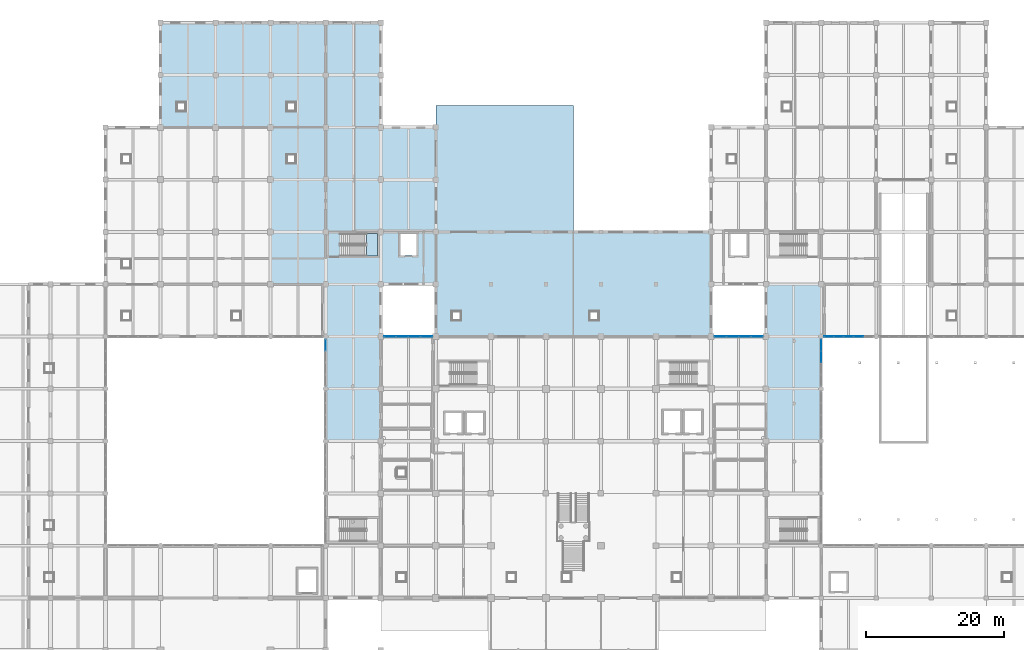
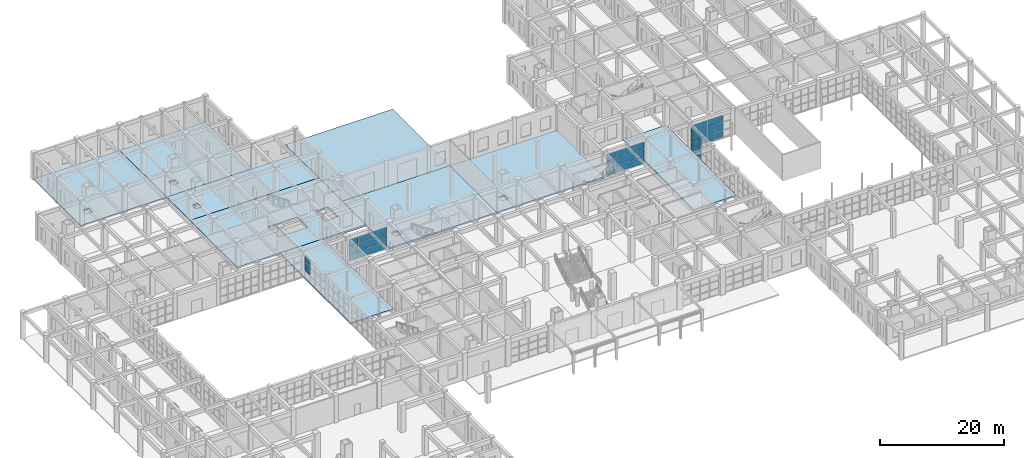
# One storey, part 63 of 95: 44 plates, 10 slabs, 6 elements without a shape of their own.
"""IFC4 building model written with IfcOpenShell, lengths in metres."""

from ifc_helpers import new_model, si_unit, direction, frame, origin, origin_2d, place, context, subcontext, project, spatial, polyline, rectangle, outline, extrude, material, layer, layer_set, type_object, element, aggregate, save


model = new_model("IFC4")

# Units and contexts
model_context = context("Model", 3, precision=1e-05, world=origin(), true_north=direction((0.0, 1.0)))
body_context = subcontext(model_context, "Body", "Model", "MODEL_VIEW")
ifc_project = project(units=[si_unit("LENGTHUNIT", "METRE"), si_unit("AREAUNIT", "SQUARE_METRE"), si_unit("VOLUMEUNIT", "CUBIC_METRE"), si_unit("PLANEANGLEUNIT", "RADIAN"), si_unit("MASSUNIT", "GRAM", prefix="KILO")], contexts=[model_context])

# Site, building, storey
site_placement = place(None, origin())
site = spatial("IfcSite", under=ifc_project, at=site_placement, CompositionType="ELEMENT")
building_placement = place(site_placement, origin())
building = spatial("IfcBuilding", under=site, at=building_placement, Name="Zantavel Square City Hall", CompositionType="ELEMENT")
storey_placement = place(building_placement, origin())
storey = spatial("IfcBuildingStorey", under=building, at=storey_placement, Name="L01", CompositionType="ELEMENT", Elevation=0.0)

# Stair, slab
ifc_material_1 = material(Name="Concrete C35/45", Category="concrete")
stair_type = type_object("IfcStairType", Name="Enclosed Core Dogleg Stair L01 H5400", PredefinedType="HALF_TURN_STAIR", material=ifc_material_1)
stair_placement = place(storey_placement, origin())
stair = element("IfcStair", 1, at=stair_placement, inside=storey, type_object=stair_type, Name="L01 Exit Stair 1 North-West Core", PredefinedType="HALF_TURN_STAIR")
ifc_layer_1 = layer(ifc_material_1, 0.2099609375, Name="Concrete C35/45")
ifc_layer_set_1 = layer_set([ifc_layer_1], Name="Concrete C35/45")
slab_type_1 = type_object("IfcSlabType", Name="Core Stair Half-Landing Slab C35/45", PredefinedType="LANDING", material=ifc_layer_set_1)
slab_1_placement = place(storey_placement, frame((0.0, 0.0, 2.5)))
slab_1 = element("IfcSlab", 2, at=slab_1_placement, type_object=slab_type_1, Name="ST1 landing 1", PredefinedType="LANDING", context=body_context, shape_type="SweptSolid", body=[
    extrude(outline(polyline([(53.949951171875, 80.10009765625), (55.530029296875, 80.10009765625), (55.530029296875, 83.3701171875), (53.949951171875, 83.3701171875), (53.949951171875, 80.10009765625)])), origin(), (0.0, 0.0, 1.0), 0.199951171875),
])
aggregate(stair, [slab_1])

# Slabs
ifc_layer_2 = layer(ifc_material_1, 0.199951171875, Name="Concrete C35/45")
ifc_layer_set_2 = layer_set([ifc_layer_2], Name="Concrete C35/45")
slab_type_2 = type_object("IfcSlabType", Name="Exterior Grade Apron Slab 200mm C35/45", PredefinedType="FLOOR", material=ifc_layer_set_2)
slab_2_placement = place(storey_placement, frame((0.0, 0.0, -0.199951171875)))
element("IfcSlab", 3, at=slab_2_placement, inside=storey, type_object=slab_type_2, Name="L01 Outdoor Terrace Slab SLB-L01-APRON-DOCK", PredefinedType="FLOOR", context=body_context, shape_type="SweptSolid", body=[
    extrude(outline(polyline([(64.0, 102.0), (84.0, 102.0), (84.0, 83.60009765625), (64.0, 83.60009765625), (64.0, 91.199951171875), (64.0, 98.800048828125), (64.0, 102.0)])), origin(), (0.0, 0.0, 1.0), 0.199951171875),
])
ifc_layer_3 = layer(ifc_material_1, 0.300048828125, Name="Concrete C35/45")
ifc_layer_set_3 = layer_set([ifc_layer_3], Name="Concrete C35/45")
slab_type_3 = type_object("IfcSlabType", Name="Ground Civic Floor Slab 300mm C35/45", PredefinedType="FLOOR", material=ifc_layer_set_3)
slab_3_placement = place(storey_placement, frame((0.0, 0.0, -0.300048828125)))
element("IfcSlab", 4, at=slab_3_placement, inside=storey, type_object=slab_type_3, Name="L01 Floor Slab SLB-L01-V2W-02", PredefinedType="FLOOR", context=body_context, shape_type="SweptSolid", body=[
    extrude(outline(polyline([(112.0, 76.0), (120.0, 76.0), (120.0, 53.199951171875), (112.0, 53.199951171875), (112.0, 68.39990234375), (112.0, 76.0)])), origin(), (0.0, 0.0, 1.0), 0.300048828125),
])
slab_4_placement = place(storey_placement, frame((0.0, 0.0, -0.300048828125)))
element("IfcSlab", 5, at=slab_4_placement, inside=storey, type_object=slab_type_3, Name="L01 Floor Slab SLB-L01-V3E-02", PredefinedType="FLOOR", context=body_context, shape_type="SweptSolid", body=[
    extrude(outline(polyline([(56.0, 53.199951171875), (48.0, 53.199951171875), (48.0, 76.0), (56.0, 76.0), (56.0, 68.39990234375), (56.0, 53.199951171875)])), origin(), (0.0, 0.0, 1.0), 0.300048828125),
])
slab_5_placement = place(storey_placement, frame((0.0, 0.0, -0.300048828125)))
element("IfcSlab", 6, at=slab_5_placement, inside=storey, type_object=slab_type_3, Name="L01 Floor Slab SLB-L01-V4L-01", PredefinedType="FLOOR", context=body_context, shape_type="SweptSolid", body=[
    extrude(outline(polyline([(96.0, 68.39990234375), (84.0, 68.39990234375), (84.0, 83.60009765625), (104.0, 83.60009765625), (104.0, 76.0), (104.0, 68.39990234375), (96.0, 68.39990234375)]), holes=[polyline([(87.60009765625, 72.0), (86.39990234375, 72.0), (86.39990234375, 70.800048828125), (87.60009765625, 70.800048828125), (87.60009765625, 72.0)])]), origin(), (0.0, 0.0, 1.0), 0.300048828125),
])
slab_6_placement = place(storey_placement, frame((0.0, 0.0, -0.300048828125)))
element("IfcSlab", 7, at=slab_6_placement, inside=storey, type_object=slab_type_3, Name="L01 Floor Slab SLB-L01-V5N-01", PredefinedType="FLOOR", context=body_context, shape_type="SweptSolid", body=[
    extrude(outline(polyline([(40.0, 114.0), (40.0, 98.800048828125), (24.0, 98.800048828125), (24.0, 114.0), (40.0, 114.0)]), holes=[polyline([(27.60009765625, 102.39990234375), (26.39990234375, 102.39990234375), (26.39990234375, 101.199951171875), (27.60009765625, 101.199951171875), (27.60009765625, 102.39990234375)])]), origin(), (0.0, 0.0, 1.0), 0.300048828125),
])
slab_7_placement = place(storey_placement, frame((0.0, 0.0, -0.300048828125)))
element("IfcSlab", 8, at=slab_7_placement, inside=storey, type_object=slab_type_3, Name="L01 Floor Slab SLB-L01-V5L-01", PredefinedType="FLOOR", context=body_context, shape_type="SweptSolid", body=[
    extrude(outline(polyline([(80.0, 68.39990234375), (72.0, 68.39990234375), (64.0, 68.39990234375), (64.0, 76.0), (64.0, 83.60009765625), (84.0, 83.60009765625), (84.0, 68.39990234375), (80.0, 68.39990234375)]), holes=[polyline([(67.60009765625, 72.0), (66.39990234375, 72.0), (66.39990234375, 70.800048828125), (67.60009765625, 70.800048828125), (67.60009765625, 72.0)])]), origin(), (0.0, 0.0, 1.0), 0.300048828125),
])
ifc_material_2 = material(Name="Concrete C40/50", Category="concrete")
ifc_layer_4 = layer(ifc_material_2, 0.340087890625, Name="Concrete C40/50")
ifc_layer_set_4 = layer_set([ifc_layer_4], Name="Concrete C40/50")
slab_type_4 = type_object("IfcSlabType", Name="Loading Dock Heavy Slab 340mm C40/50", PredefinedType="FLOOR", material=ifc_layer_set_4)
slab_8_placement = place(storey_placement, frame((0.0, 0.0, -0.340087890625)))
element("IfcSlab", 9, at=slab_8_placement, inside=storey, type_object=slab_type_4, Name="L01 Floor Slab SLB-L01-V5M-02", PredefinedType="FLOOR", context=body_context, shape_type="SweptSolid", body=[
    extrude(outline(polyline([(56.0, 76.0), (48.0, 76.0), (40.0, 76.0), (40.0, 91.199951171875), (64.0, 91.199951171875), (64.0, 76.0), (56.0, 76.0)]), holes=[polyline([(50.050048828125, 83.3701171875), (50.050048828125, 80.10009765625), (55.530029296875, 80.10009765625), (55.530029296875, 83.3701171875), (50.050048828125, 83.3701171875)]), polyline([(61.199951171875, 83.35009765625), (58.800048828125, 83.35009765625), (58.800048828125, 80.14990234375), (61.199951171875, 80.14990234375), (61.199951171875, 83.35009765625)])]), origin(), (0.0, 0.0, 1.0), 0.340087890625),
])
slab_9_placement = place(storey_placement, frame((0.0, 0.0, -0.340087890625)))
element("IfcSlab", 10, at=slab_9_placement, inside=storey, type_object=slab_type_4, Name="L01 Floor Slab SLB-L01-V5M-04", PredefinedType="FLOOR", context=body_context, shape_type="SweptSolid", body=[
    extrude(outline(polyline([(64.0, 91.199951171875), (40.0, 91.199951171875), (40.0, 98.800048828125), (64.0, 98.800048828125), (64.0, 91.199951171875)]), holes=[polyline([(43.60009765625, 94.800048828125), (42.39990234375, 94.800048828125), (42.39990234375, 93.60009765625), (43.60009765625, 93.60009765625), (43.60009765625, 94.800048828125)])]), origin(), (0.0, 0.0, 1.0), 0.340087890625),
])
slab_10_placement = place(storey_placement, frame((0.0, 0.0, -0.340087890625)))
element("IfcSlab", 11, at=slab_10_placement, inside=storey, type_object=slab_type_4, Name="L01 Floor Slab SLB-L01-V5N-02", PredefinedType="FLOOR", context=body_context, shape_type="SweptSolid", body=[
    extrude(outline(polyline([(56.0, 98.800048828125), (40.0, 98.800048828125), (40.0, 114.0), (56.0, 114.0), (56.0, 98.800048828125)]), holes=[polyline([(43.60009765625, 102.39990234375), (42.39990234375, 102.39990234375), (42.39990234375, 101.199951171875), (43.60009765625, 101.199951171875), (43.60009765625, 102.39990234375)])]), origin(), (0.0, 0.0, 1.0), 0.340087890625),
])

# Curtain wall, plates
ifc_material_3 = material(Name="Anodised aluminium 6063-T6", Category="aluminium")
curtain_wall_type_1 = type_object("IfcCurtainWallType", Name="Curtain Wall CRT 7250x4510", PredefinedType="USERDEFINED", material=ifc_material_3)
curtain_wall_1_placement = place(storey_placement, origin())
curtain_wall_1 = element("IfcCurtainWall", 12, at=curtain_wall_1_placement, inside=storey, type_object=curtain_wall_type_1, Name="L01 Glazed Curtain Wall CW-L01-022", ObjectType="GLAZED CURTAIN WALL", PredefinedType="USERDEFINED")
ifc_material_4 = material(Name="Tempered safety glass low-E double glazing", Category="glass")
ifc_layer_5 = layer(ifc_material_4, 0.028076171875, Name="Tempered safety glass low-E double glazing")
ifc_layer_set_5 = layer_set([ifc_layer_5], Name="Tempered safety glass low-E double glazing")
plate_type_1 = type_object("IfcPlateType", Name="Low-E Curtain Glazing Panel 1450x1503x28", PredefinedType="CURTAIN_PANEL", material=ifc_layer_set_5)
plate_1_placement = place(storey_placement, frame((125.449951171875, 68.39990234375, 0.06005859375), z_axis=(0.0, 0.0, 1.0), x_axis=(-1.0, 0.0, 0.0)))
plate_1 = element("IfcPlate", 13, at=plate_1_placement, type_object=plate_type_1, Name="CW-022 panel 2.1", PredefinedType="CURTAIN_PANEL", context=body_context, shape_type="SweptSolid", body=[
    extrude(rectangle(XDim=1.389892578125, YDim=0.028076171875, at=origin_2d()), origin(), (0.0, 0.0, 1.0), 1.35302734375),
])
plate_2_placement = place(storey_placement, frame((125.449951171875, 68.39990234375, 1.472900390625), z_axis=(0.0, 0.0, 1.0), x_axis=(-1.0, 0.0, 0.0)))
plate_2 = element("IfcPlate", 14, at=plate_2_placement, type_object=plate_type_1, Name="CW-022 panel 2.2", PredefinedType="CURTAIN_PANEL", context=body_context, shape_type="SweptSolid", body=[
    extrude(rectangle(XDim=1.389892578125, YDim=0.028076171875, at=origin_2d()), origin(), (0.0, 0.0, 1.0), 1.56396484375),
])
plate_3_placement = place(storey_placement, frame((125.449951171875, 68.39990234375, 3.096923828125), z_axis=(0.0, 0.0, 1.0), x_axis=(-1.0, 0.0, 0.0)))
plate_3 = element("IfcPlate", 15, at=plate_3_placement, type_object=plate_type_1, Name="CW-022 panel 2.3", PredefinedType="CURTAIN_PANEL", context=body_context, shape_type="SweptSolid", body=[
    extrude(rectangle(XDim=1.389892578125, YDim=0.028076171875, at=origin_2d()), origin(), (0.0, 0.0, 1.0), 1.35302734375),
])
plate_4_placement = place(storey_placement, frame((124.0, 68.39990234375, 0.06005859375), z_axis=(0.0, 0.0, 1.0), x_axis=(-1.0, 0.0, 0.0)))
plate_4 = element("IfcPlate", 16, at=plate_4_placement, type_object=plate_type_1, Name="CW-022 panel 3.1", PredefinedType="CURTAIN_PANEL", context=body_context, shape_type="SweptSolid", body=[
    extrude(rectangle(XDim=1.389892578125, YDim=0.028076171875, at=origin_2d()), origin(), (0.0, 0.0, 1.0), 1.35302734375),
])
plate_5_placement = place(storey_placement, frame((124.0, 68.39990234375, 1.472900390625), z_axis=(0.0, 0.0, 1.0), x_axis=(-1.0, 0.0, 0.0)))
plate_5 = element("IfcPlate", 17, at=plate_5_placement, type_object=plate_type_1, Name="CW-022 panel 3.2", PredefinedType="CURTAIN_PANEL", context=body_context, shape_type="SweptSolid", body=[
    extrude(rectangle(XDim=1.389892578125, YDim=0.028076171875, at=origin_2d()), origin(), (0.0, 0.0, 1.0), 1.56396484375),
])
plate_6_placement = place(storey_placement, frame((124.0, 68.39990234375, 3.096923828125), z_axis=(0.0, 0.0, 1.0), x_axis=(-1.0, 0.0, 0.0)))
plate_6 = element("IfcPlate", 18, at=plate_6_placement, type_object=plate_type_1, Name="CW-022 panel 3.3", PredefinedType="CURTAIN_PANEL", context=body_context, shape_type="SweptSolid", body=[
    extrude(rectangle(XDim=1.389892578125, YDim=0.028076171875, at=origin_2d()), origin(), (0.0, 0.0, 1.0), 1.35302734375),
])
plate_7_placement = place(storey_placement, frame((122.550048828125, 68.39990234375, 0.06005859375), z_axis=(0.0, 0.0, 1.0), x_axis=(-1.0, 0.0, 0.0)))
plate_7 = element("IfcPlate", 19, at=plate_7_placement, type_object=plate_type_1, Name="CW-022 panel 4.1", PredefinedType="CURTAIN_PANEL", context=body_context, shape_type="SweptSolid", body=[
    extrude(rectangle(XDim=1.389892578125, YDim=0.028076171875, at=origin_2d()), origin(), (0.0, 0.0, 1.0), 1.35302734375),
])
plate_8_placement = place(storey_placement, frame((122.550048828125, 68.39990234375, 1.472900390625), z_axis=(0.0, 0.0, 1.0), x_axis=(-1.0, 0.0, 0.0)))
plate_8 = element("IfcPlate", 20, at=plate_8_placement, type_object=plate_type_1, Name="CW-022 panel 4.2", PredefinedType="CURTAIN_PANEL", context=body_context, shape_type="SweptSolid", body=[
    extrude(rectangle(XDim=1.389892578125, YDim=0.028076171875, at=origin_2d()), origin(), (0.0, 0.0, 1.0), 1.56396484375),
])
plate_9_placement = place(storey_placement, frame((122.550048828125, 68.39990234375, 3.096923828125), z_axis=(0.0, 0.0, 1.0), x_axis=(-1.0, 0.0, 0.0)))
plate_9 = element("IfcPlate", 21, at=plate_9_placement, type_object=plate_type_1, Name="CW-022 panel 4.3", PredefinedType="CURTAIN_PANEL", context=body_context, shape_type="SweptSolid", body=[
    extrude(rectangle(XDim=1.389892578125, YDim=0.028076171875, at=origin_2d()), origin(), (0.0, 0.0, 1.0), 1.35302734375),
])
plate_10_placement = place(storey_placement, frame((121.114990234375, 68.39990234375, 0.06005859375), z_axis=(0.0, 0.0, 1.0), x_axis=(-1.0, 0.0, 0.0)))
plate_10 = element("IfcPlate", 22, at=plate_10_placement, type_object=plate_type_1, Name="CW-022 panel 5.1", PredefinedType="CURTAIN_PANEL", context=body_context, shape_type="SweptSolid", body=[
    extrude(rectangle(XDim=1.360107421875, YDim=0.028076171875, at=origin_2d()), origin(), (0.0, 0.0, 1.0), 1.35302734375),
])
plate_11_placement = place(storey_placement, frame((121.114990234375, 68.39990234375, 1.472900390625), z_axis=(0.0, 0.0, 1.0), x_axis=(-1.0, 0.0, 0.0)))
plate_11 = element("IfcPlate", 23, at=plate_11_placement, type_object=plate_type_1, Name="CW-022 panel 5.2", PredefinedType="CURTAIN_PANEL", context=body_context, shape_type="SweptSolid", body=[
    extrude(rectangle(XDim=1.360107421875, YDim=0.028076171875, at=origin_2d()), origin(), (0.0, 0.0, 1.0), 1.56396484375),
])
plate_12_placement = place(storey_placement, frame((121.114990234375, 68.39990234375, 3.096923828125), z_axis=(0.0, 0.0, 1.0), x_axis=(-1.0, 0.0, 0.0)))
plate_12 = element("IfcPlate", 24, at=plate_12_placement, type_object=plate_type_1, Name="CW-022 panel 5.3", PredefinedType="CURTAIN_PANEL", context=body_context, shape_type="SweptSolid", body=[
    extrude(rectangle(XDim=1.360107421875, YDim=0.028076171875, at=origin_2d()), origin(), (0.0, 0.0, 1.0), 1.35302734375),
])
aggregate(curtain_wall_1, [plate_1, plate_2, plate_3, plate_4, plate_5, plate_6, plate_7, plate_8, plate_9, plate_10, plate_11, plate_12])

curtain_wall_type_2 = type_object("IfcCurtainWallType", Name="Curtain Wall CRT 6850x4460", PredefinedType="USERDEFINED", material=ifc_material_3)
curtain_wall_2_placement = place(storey_placement, origin())
curtain_wall_2 = element("IfcCurtainWall", 25, at=curtain_wall_2_placement, inside=storey, type_object=curtain_wall_type_2, Name="L01 Glazed Curtain Wall CW-L01-017", ObjectType="GLAZED CURTAIN WALL", PredefinedType="USERDEFINED")
ifc_layer_6 = layer(ifc_material_4, 0.028076171875, Name="Tempered safety glass low-E double glazing")
ifc_layer_set_6 = layer_set([ifc_layer_6], Name="Tempered safety glass low-E double glazing")
plate_type_2 = type_object("IfcPlateType", Name="Low-E Curtain Glazing Panel 1713x1487x28", PredefinedType="CURTAIN_PANEL", material=ifc_layer_set_6)
plate_13_placement = place(storey_placement, frame((48.0, 67.15380859375, 1.45703125), z_axis=(0.0, 0.0, 1.0), x_axis=(0.0, 1.0, 0.0)))
plate_13 = element("IfcPlate", 26, at=plate_13_placement, type_object=plate_type_2, Name="CW-017 panel 4.2", PredefinedType="CURTAIN_PANEL", context=body_context, shape_type="SweptSolid", body=[
    extrude(rectangle(XDim=1.62255859375, YDim=0.028076171875, at=origin_2d()), origin(), (0.0, 0.0, 1.0), 1.5458984375),
])
plate_14_placement = place(storey_placement, frame((48.0, 67.15380859375, 3.06298828125), z_axis=(0.0, 0.0, 1.0), x_axis=(0.0, 1.0, 0.0)))
plate_14 = element("IfcPlate", 27, at=plate_14_placement, type_object=plate_type_2, Name="CW-017 panel 4.3", PredefinedType="CURTAIN_PANEL", context=body_context, shape_type="SweptSolid", body=[
    extrude(rectangle(XDim=1.62255859375, YDim=0.028076171875, at=origin_2d()), origin(), (0.0, 0.0, 1.0), 1.3369140625),
])
aggregate(curtain_wall_2, [plate_13, plate_14])

curtain_wall_type_3 = type_object("IfcCurtainWallType", Name="Curtain Wall CRT 6850x4580", PredefinedType="USERDEFINED", material=ifc_material_3)
curtain_wall_3_placement = place(storey_placement, origin())
curtain_wall_3 = element("IfcCurtainWall", 28, at=curtain_wall_3_placement, inside=storey, type_object=curtain_wall_type_3, Name="L01 Glazed Curtain Wall CW-L01-023", ObjectType="GLAZED CURTAIN WALL", PredefinedType="USERDEFINED")
ifc_layer_7 = layer(ifc_material_4, 0.028076171875, Name="Tempered safety glass low-E double glazing")
ifc_layer_set_7 = layer_set([ifc_layer_7], Name="Tempered safety glass low-E double glazing")
plate_type_3 = type_object("IfcPlateType", Name="Low-E Curtain Glazing Panel 1713x1527x28", PredefinedType="CURTAIN_PANEL", material=ifc_layer_set_7)
plate_15_placement = place(storey_placement, frame((120.0, 67.15380859375, 0.06005859375), z_axis=(0.0, 0.0, 1.0), x_axis=(0.0, -1.0, 0.0)))
plate_15 = element("IfcPlate", 29, at=plate_15_placement, type_object=plate_type_3, Name="CW-023 panel 1.1", PredefinedType="CURTAIN_PANEL", context=body_context, shape_type="SweptSolid", body=[
    extrude(rectangle(XDim=1.62255859375, YDim=0.028076171875, at=origin_2d()), origin(), (0.0, 0.0, 1.0), 1.3759765625),
])
plate_16_placement = place(storey_placement, frame((120.0, 67.15380859375, 1.49609375), z_axis=(0.0, 0.0, 1.0), x_axis=(0.0, -1.0, 0.0)))
plate_16 = element("IfcPlate", 30, at=plate_16_placement, type_object=plate_type_3, Name="CW-023 panel 1.2", PredefinedType="CURTAIN_PANEL", context=body_context, shape_type="SweptSolid", body=[
    extrude(rectangle(XDim=1.62255859375, YDim=0.028076171875, at=origin_2d()), origin(), (0.0, 0.0, 1.0), 1.587890625),
])
plate_17_placement = place(storey_placement, frame((120.0, 67.15380859375, 3.14404296875), z_axis=(0.0, 0.0, 1.0), x_axis=(0.0, -1.0, 0.0)))
plate_17 = element("IfcPlate", 31, at=plate_17_placement, type_object=plate_type_3, Name="CW-023 panel 1.3", PredefinedType="CURTAIN_PANEL", context=body_context, shape_type="SweptSolid", body=[
    extrude(rectangle(XDim=1.62255859375, YDim=0.028076171875, at=origin_2d()), origin(), (0.0, 0.0, 1.0), 1.3759765625),
])
plate_18_placement = place(storey_placement, frame((120.0, 65.456298828125, 0.06005859375), z_axis=(0.0, 0.0, 1.0), x_axis=(0.0, -1.0, 0.0)))
plate_18 = element("IfcPlate", 32, at=plate_18_placement, type_object=plate_type_3, Name="CW-023 panel 2.1", PredefinedType="CURTAIN_PANEL", context=body_context, shape_type="SweptSolid", body=[
    extrude(rectangle(XDim=1.652587890625, YDim=0.028076171875, at=origin_2d()), origin(), (0.0, 0.0, 1.0), 1.3759765625),
])
plate_19_placement = place(storey_placement, frame((120.0, 65.456298828125, 1.49609375), z_axis=(0.0, 0.0, 1.0), x_axis=(0.0, -1.0, 0.0)))
plate_19 = element("IfcPlate", 33, at=plate_19_placement, type_object=plate_type_3, Name="CW-023 panel 2.2", PredefinedType="CURTAIN_PANEL", context=body_context, shape_type="SweptSolid", body=[
    extrude(rectangle(XDim=1.652587890625, YDim=0.028076171875, at=origin_2d()), origin(), (0.0, 0.0, 1.0), 1.587890625),
])
plate_20_placement = place(storey_placement, frame((120.0, 65.456298828125, 3.14404296875), z_axis=(0.0, 0.0, 1.0), x_axis=(0.0, -1.0, 0.0)))
plate_20 = element("IfcPlate", 34, at=plate_20_placement, type_object=plate_type_3, Name="CW-023 panel 2.3", PredefinedType="CURTAIN_PANEL", context=body_context, shape_type="SweptSolid", body=[
    extrude(rectangle(XDim=1.652587890625, YDim=0.028076171875, at=origin_2d()), origin(), (0.0, 0.0, 1.0), 1.3759765625),
])
aggregate(curtain_wall_3, [plate_15, plate_16, plate_17, plate_18, plate_19, plate_20])

curtain_wall_type_4 = type_object("IfcCurtainWallType", Name="Curtain Wall TRV1 7125x4360", PredefinedType="USERDEFINED", material=ifc_material_3)
curtain_wall_4_placement = place(storey_placement, origin())
curtain_wall_4 = element("IfcCurtainWall", 35, at=curtain_wall_4_placement, inside=storey, type_object=curtain_wall_type_4, Name="L01 Glazed Curtain Wall CW-L01-004", ObjectType="GLAZED CURTAIN WALL", PredefinedType="USERDEFINED")
ifc_layer_8 = layer(ifc_material_4, 0.028076171875, Name="Tempered safety glass low-E double glazing")
ifc_layer_set_8 = layer_set([ifc_layer_8], Name="Tempered safety glass low-E double glazing")
plate_type_4 = type_object("IfcPlateType", Name="Low-E Curtain Glazing Panel 1781x1453x28", PredefinedType="CURTAIN_PANEL", material=ifc_layer_set_8)
plate_21_placement = place(storey_placement, frame((57.33056640625, 68.39990234375, 0.06005859375), z_axis=(0.0, 0.0, 1.0), x_axis=(1.0, 0.0, 0.0)))
plate_21 = element("IfcPlate", 36, at=plate_21_placement, type_object=plate_type_4, Name="CW-004 panel 1.1", PredefinedType="CURTAIN_PANEL", context=body_context, shape_type="SweptSolid", body=[
    extrude(rectangle(XDim=1.691162109375, YDim=0.028076171875, at=origin_2d()), origin(), (0.0, 0.0, 1.0), 1.304931640625),
])
plate_22_placement = place(storey_placement, frame((57.33056640625, 68.39990234375, 1.4248046875), z_axis=(0.0, 0.0, 1.0), x_axis=(1.0, 0.0, 0.0)))
plate_22 = element("IfcPlate", 37, at=plate_22_placement, type_object=plate_type_4, Name="CW-004 panel 1.2", PredefinedType="CURTAIN_PANEL", context=body_context, shape_type="SweptSolid", body=[
    extrude(rectangle(XDim=1.691162109375, YDim=0.028076171875, at=origin_2d()), origin(), (0.0, 0.0, 1.0), 1.510009765625),
])
plate_23_placement = place(storey_placement, frame((57.33056640625, 68.39990234375, 2.9951171875), z_axis=(0.0, 0.0, 1.0), x_axis=(1.0, 0.0, 0.0)))
plate_23 = element("IfcPlate", 38, at=plate_23_placement, type_object=plate_type_4, Name="CW-004 panel 1.3", PredefinedType="CURTAIN_PANEL", context=body_context, shape_type="SweptSolid", body=[
    extrude(rectangle(XDim=1.691162109375, YDim=0.028076171875, at=origin_2d()), origin(), (0.0, 0.0, 1.0), 1.304931640625),
])
plate_24_placement = place(storey_placement, frame((59.096923828125, 68.39990234375, 0.06005859375), z_axis=(0.0, 0.0, 1.0), x_axis=(1.0, 0.0, 0.0)))
plate_24 = element("IfcPlate", 39, at=plate_24_placement, type_object=plate_type_4, Name="CW-004 panel 2.1", PredefinedType="CURTAIN_PANEL", context=body_context, shape_type="SweptSolid", body=[
    extrude(rectangle(XDim=1.72119140625, YDim=0.028076171875, at=origin_2d()), origin(), (0.0, 0.0, 1.0), 1.304931640625),
])
plate_25_placement = place(storey_placement, frame((59.096923828125, 68.39990234375, 1.4248046875), z_axis=(0.0, 0.0, 1.0), x_axis=(1.0, 0.0, 0.0)))
plate_25 = element("IfcPlate", 40, at=plate_25_placement, type_object=plate_type_4, Name="CW-004 panel 2.2", PredefinedType="CURTAIN_PANEL", context=body_context, shape_type="SweptSolid", body=[
    extrude(rectangle(XDim=1.72119140625, YDim=0.028076171875, at=origin_2d()), origin(), (0.0, 0.0, 1.0), 1.510009765625),
])
plate_26_placement = place(storey_placement, frame((59.096923828125, 68.39990234375, 2.9951171875), z_axis=(0.0, 0.0, 1.0), x_axis=(1.0, 0.0, 0.0)))
plate_26 = element("IfcPlate", 41, at=plate_26_placement, type_object=plate_type_4, Name="CW-004 panel 2.3", PredefinedType="CURTAIN_PANEL", context=body_context, shape_type="SweptSolid", body=[
    extrude(rectangle(XDim=1.72119140625, YDim=0.028076171875, at=origin_2d()), origin(), (0.0, 0.0, 1.0), 1.304931640625),
])
plate_27_placement = place(storey_placement, frame((60.878173828125, 68.39990234375, 0.06005859375), z_axis=(0.0, 0.0, 1.0), x_axis=(1.0, 0.0, 0.0)))
plate_27 = element("IfcPlate", 42, at=plate_27_placement, type_object=plate_type_4, Name="CW-004 panel 3.1", PredefinedType="CURTAIN_PANEL", context=body_context, shape_type="SweptSolid", body=[
    extrude(rectangle(XDim=1.72119140625, YDim=0.028076171875, at=origin_2d()), origin(), (0.0, 0.0, 1.0), 1.304931640625),
])
plate_28_placement = place(storey_placement, frame((60.878173828125, 68.39990234375, 1.4248046875), z_axis=(0.0, 0.0, 1.0), x_axis=(1.0, 0.0, 0.0)))
plate_28 = element("IfcPlate", 43, at=plate_28_placement, type_object=plate_type_4, Name="CW-004 panel 3.2", PredefinedType="CURTAIN_PANEL", context=body_context, shape_type="SweptSolid", body=[
    extrude(rectangle(XDim=1.72119140625, YDim=0.028076171875, at=origin_2d()), origin(), (0.0, 0.0, 1.0), 1.510009765625),
])
plate_29_placement = place(storey_placement, frame((60.878173828125, 68.39990234375, 2.9951171875), z_axis=(0.0, 0.0, 1.0), x_axis=(1.0, 0.0, 0.0)))
plate_29 = element("IfcPlate", 44, at=plate_29_placement, type_object=plate_type_4, Name="CW-004 panel 3.3", PredefinedType="CURTAIN_PANEL", context=body_context, shape_type="SweptSolid", body=[
    extrude(rectangle(XDim=1.72119140625, YDim=0.028076171875, at=origin_2d()), origin(), (0.0, 0.0, 1.0), 1.304931640625),
])
plate_30_placement = place(storey_placement, frame((62.644287109375, 68.39990234375, 0.06005859375), z_axis=(0.0, 0.0, 1.0), x_axis=(1.0, 0.0, 0.0)))
plate_30 = element("IfcPlate", 45, at=plate_30_placement, type_object=plate_type_4, Name="CW-004 panel 4.1", PredefinedType="CURTAIN_PANEL", context=body_context, shape_type="SweptSolid", body=[
    extrude(rectangle(XDim=1.691162109375, YDim=0.028076171875, at=origin_2d()), origin(), (0.0, 0.0, 1.0), 1.304931640625),
])
plate_31_placement = place(storey_placement, frame((62.644287109375, 68.39990234375, 1.4248046875), z_axis=(0.0, 0.0, 1.0), x_axis=(1.0, 0.0, 0.0)))
plate_31 = element("IfcPlate", 46, at=plate_31_placement, type_object=plate_type_4, Name="CW-004 panel 4.2", PredefinedType="CURTAIN_PANEL", context=body_context, shape_type="SweptSolid", body=[
    extrude(rectangle(XDim=1.691162109375, YDim=0.028076171875, at=origin_2d()), origin(), (0.0, 0.0, 1.0), 1.510009765625),
])
plate_32_placement = place(storey_placement, frame((62.644287109375, 68.39990234375, 2.9951171875), z_axis=(0.0, 0.0, 1.0), x_axis=(1.0, 0.0, 0.0)))
plate_32 = element("IfcPlate", 47, at=plate_32_placement, type_object=plate_type_4, Name="CW-004 panel 4.3", PredefinedType="CURTAIN_PANEL", context=body_context, shape_type="SweptSolid", body=[
    extrude(rectangle(XDim=1.691162109375, YDim=0.028076171875, at=origin_2d()), origin(), (0.0, 0.0, 1.0), 1.304931640625),
])
aggregate(curtain_wall_4, [plate_21, plate_22, plate_23, plate_24, plate_25, plate_26, plate_27, plate_28, plate_29, plate_30, plate_31, plate_32])

curtain_wall_5_placement = place(storey_placement, origin())
curtain_wall_5 = element("IfcCurtainWall", 48, at=curtain_wall_5_placement, inside=storey, type_object=curtain_wall_type_4, Name="L01 Glazed Curtain Wall CW-L01-020", ObjectType="GLAZED CURTAIN WALL", PredefinedType="USERDEFINED")
plate_33_placement = place(storey_placement, frame((105.355712890625, 68.39990234375, 0.06005859375), z_axis=(0.0, 0.0, 1.0), x_axis=(1.0, 0.0, 0.0)))
plate_33 = element("IfcPlate", 49, at=plate_33_placement, type_object=plate_type_4, Name="CW-020 panel 1.1", PredefinedType="CURTAIN_PANEL", context=body_context, shape_type="SweptSolid", body=[
    extrude(rectangle(XDim=1.691162109375, YDim=0.028076171875, at=origin_2d()), origin(), (0.0, 0.0, 1.0), 1.304931640625),
])
plate_34_placement = place(storey_placement, frame((105.355712890625, 68.39990234375, 1.4248046875), z_axis=(0.0, 0.0, 1.0), x_axis=(1.0, 0.0, 0.0)))
plate_34 = element("IfcPlate", 50, at=plate_34_placement, type_object=plate_type_4, Name="CW-020 panel 1.2", PredefinedType="CURTAIN_PANEL", context=body_context, shape_type="SweptSolid", body=[
    extrude(rectangle(XDim=1.691162109375, YDim=0.028076171875, at=origin_2d()), origin(), (0.0, 0.0, 1.0), 1.510009765625),
])
plate_35_placement = place(storey_placement, frame((105.355712890625, 68.39990234375, 2.9951171875), z_axis=(0.0, 0.0, 1.0), x_axis=(1.0, 0.0, 0.0)))
plate_35 = element("IfcPlate", 51, at=plate_35_placement, type_object=plate_type_4, Name="CW-020 panel 1.3", PredefinedType="CURTAIN_PANEL", context=body_context, shape_type="SweptSolid", body=[
    extrude(rectangle(XDim=1.691162109375, YDim=0.028076171875, at=origin_2d()), origin(), (0.0, 0.0, 1.0), 1.304931640625),
])
plate_36_placement = place(storey_placement, frame((107.121826171875, 68.39990234375, 0.06005859375), z_axis=(0.0, 0.0, 1.0), x_axis=(1.0, 0.0, 0.0)))
plate_36 = element("IfcPlate", 52, at=plate_36_placement, type_object=plate_type_4, Name="CW-020 panel 2.1", PredefinedType="CURTAIN_PANEL", context=body_context, shape_type="SweptSolid", body=[
    extrude(rectangle(XDim=1.72119140625, YDim=0.028076171875, at=origin_2d()), origin(), (0.0, 0.0, 1.0), 1.304931640625),
])
plate_37_placement = place(storey_placement, frame((107.121826171875, 68.39990234375, 1.4248046875), z_axis=(0.0, 0.0, 1.0), x_axis=(1.0, 0.0, 0.0)))
plate_37 = element("IfcPlate", 53, at=plate_37_placement, type_object=plate_type_4, Name="CW-020 panel 2.2", PredefinedType="CURTAIN_PANEL", context=body_context, shape_type="SweptSolid", body=[
    extrude(rectangle(XDim=1.72119140625, YDim=0.028076171875, at=origin_2d()), origin(), (0.0, 0.0, 1.0), 1.510009765625),
])
plate_38_placement = place(storey_placement, frame((107.121826171875, 68.39990234375, 2.9951171875), z_axis=(0.0, 0.0, 1.0), x_axis=(1.0, 0.0, 0.0)))
plate_38 = element("IfcPlate", 54, at=plate_38_placement, type_object=plate_type_4, Name="CW-020 panel 2.3", PredefinedType="CURTAIN_PANEL", context=body_context, shape_type="SweptSolid", body=[
    extrude(rectangle(XDim=1.72119140625, YDim=0.028076171875, at=origin_2d()), origin(), (0.0, 0.0, 1.0), 1.304931640625),
])
plate_39_placement = place(storey_placement, frame((108.903076171875, 68.39990234375, 0.06005859375), z_axis=(0.0, 0.0, 1.0), x_axis=(1.0, 0.0, 0.0)))
plate_39 = element("IfcPlate", 55, at=plate_39_placement, type_object=plate_type_4, Name="CW-020 panel 3.1", PredefinedType="CURTAIN_PANEL", context=body_context, shape_type="SweptSolid", body=[
    extrude(rectangle(XDim=1.72119140625, YDim=0.028076171875, at=origin_2d()), origin(), (0.0, 0.0, 1.0), 1.304931640625),
])
plate_40_placement = place(storey_placement, frame((108.903076171875, 68.39990234375, 1.4248046875), z_axis=(0.0, 0.0, 1.0), x_axis=(1.0, 0.0, 0.0)))
plate_40 = element("IfcPlate", 56, at=plate_40_placement, type_object=plate_type_4, Name="CW-020 panel 3.2", PredefinedType="CURTAIN_PANEL", context=body_context, shape_type="SweptSolid", body=[
    extrude(rectangle(XDim=1.72119140625, YDim=0.028076171875, at=origin_2d()), origin(), (0.0, 0.0, 1.0), 1.510009765625),
])
plate_41_placement = place(storey_placement, frame((108.903076171875, 68.39990234375, 2.9951171875), z_axis=(0.0, 0.0, 1.0), x_axis=(1.0, 0.0, 0.0)))
plate_41 = element("IfcPlate", 57, at=plate_41_placement, type_object=plate_type_4, Name="CW-020 panel 3.3", PredefinedType="CURTAIN_PANEL", context=body_context, shape_type="SweptSolid", body=[
    extrude(rectangle(XDim=1.72119140625, YDim=0.028076171875, at=origin_2d()), origin(), (0.0, 0.0, 1.0), 1.304931640625),
])
plate_42_placement = place(storey_placement, frame((110.66943359375, 68.39990234375, 0.06005859375), z_axis=(0.0, 0.0, 1.0), x_axis=(1.0, 0.0, 0.0)))
plate_42 = element("IfcPlate", 58, at=plate_42_placement, type_object=plate_type_4, Name="CW-020 panel 4.1", PredefinedType="CURTAIN_PANEL", context=body_context, shape_type="SweptSolid", body=[
    extrude(rectangle(XDim=1.691162109375, YDim=0.028076171875, at=origin_2d()), origin(), (0.0, 0.0, 1.0), 1.304931640625),
])
plate_43_placement = place(storey_placement, frame((110.66943359375, 68.39990234375, 1.4248046875), z_axis=(0.0, 0.0, 1.0), x_axis=(1.0, 0.0, 0.0)))
plate_43 = element("IfcPlate", 59, at=plate_43_placement, type_object=plate_type_4, Name="CW-020 panel 4.2", PredefinedType="CURTAIN_PANEL", context=body_context, shape_type="SweptSolid", body=[
    extrude(rectangle(XDim=1.691162109375, YDim=0.028076171875, at=origin_2d()), origin(), (0.0, 0.0, 1.0), 1.510009765625),
])
plate_44_placement = place(storey_placement, frame((110.66943359375, 68.39990234375, 2.9951171875), z_axis=(0.0, 0.0, 1.0), x_axis=(1.0, 0.0, 0.0)))
plate_44 = element("IfcPlate", 60, at=plate_44_placement, type_object=plate_type_4, Name="CW-020 panel 4.3", PredefinedType="CURTAIN_PANEL", context=body_context, shape_type="SweptSolid", body=[
    extrude(rectangle(XDim=1.691162109375, YDim=0.028076171875, at=origin_2d()), origin(), (0.0, 0.0, 1.0), 1.304931640625),
])
aggregate(curtain_wall_5, [plate_33, plate_34, plate_35, plate_36, plate_37, plate_38, plate_39, plate_40, plate_41, plate_42, plate_43, plate_44])

save(model, "model.ifc")
